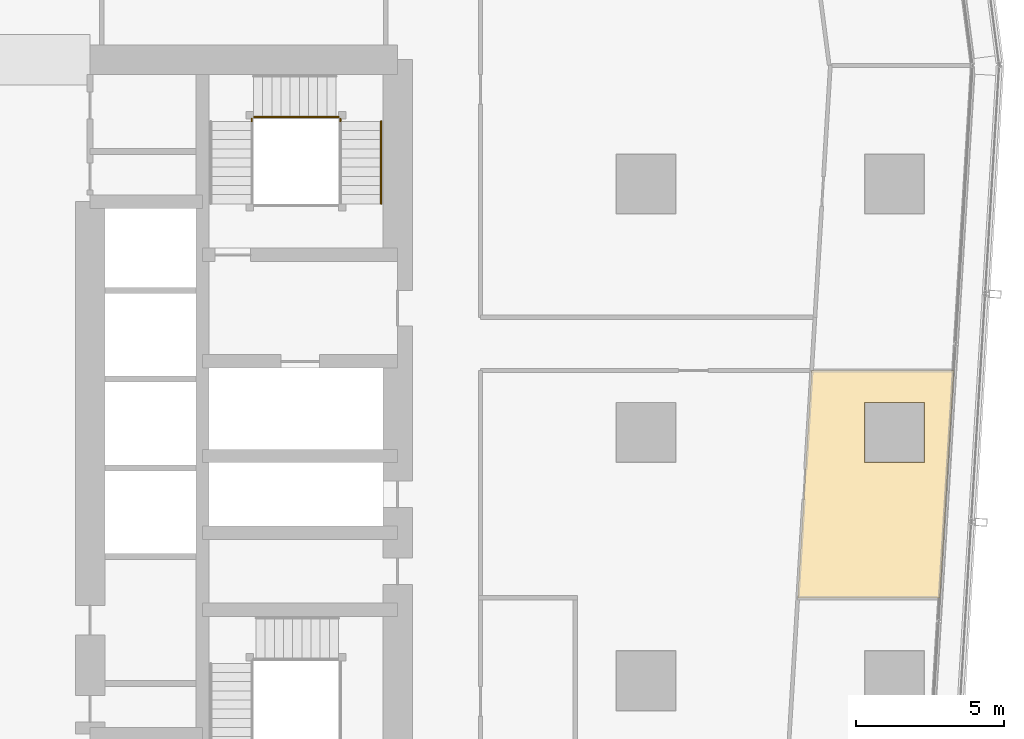
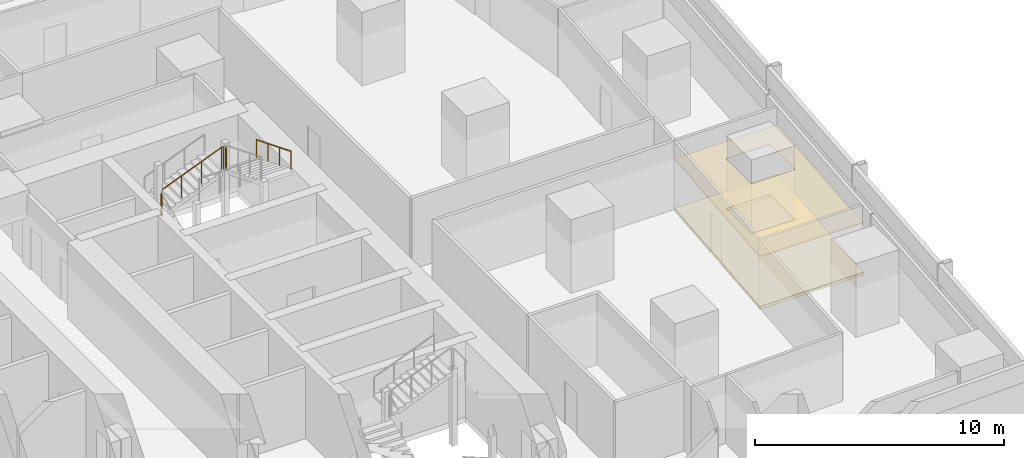
# One storey, part 38 of 39: 5 railings, 2 coverings.
"""IFC4 building model written with IfcOpenShell, lengths in metres."""

from ifc_helpers import new_model, si_unit, direction, frame, origin, origin_2d, place, context, subcontext, project, spatial, polyline, circle, outline, extrude, material, layer, layer_set, type_object, element, save


model = new_model("IFC4")

# Units and contexts
model_context = context("Model", 3, precision=1e-05, world=origin(), true_north=direction((0.0, 1.0)))
body_context = subcontext(model_context, "Body", "Model", "MODEL_VIEW")
ifc_project = project(units=[si_unit("LENGTHUNIT", "METRE"), si_unit("AREAUNIT", "SQUARE_METRE"), si_unit("VOLUMEUNIT", "CUBIC_METRE"), si_unit("PLANEANGLEUNIT", "RADIAN"), si_unit("MASSUNIT", "GRAM", prefix="KILO")], contexts=[model_context])

# Site, building, storey
site_placement = place(None, origin())
site = spatial("IfcSite", under=ifc_project, at=site_placement, CompositionType="ELEMENT")
building_placement = place(site_placement, origin())
building = spatial("IfcBuilding", under=site, at=building_placement, Name="Rekha Terrace Tower", CompositionType="ELEMENT")
storey_placement = place(building_placement, frame((0.0, 0.0, 151.550048828125)))
storey = spatial("IfcBuildingStorey", under=building, at=storey_placement, Name="L38", CompositionType="ELEMENT", Elevation=151.550048828125)

# Covering
ifc_material_1 = material(Name="Mineral fibre tile in exposed grid", Category="finish")
ifc_layer_1 = layer(ifc_material_1, 0.02001953125)
ifc_layer_set_1 = layer_set([ifc_layer_1], Name="Mineral fibre tile in exposed grid")
covering_type_1 = type_object("IfcCoveringType", Name="CL1 600x1200 office grid ceiling", PredefinedType="CEILING", material=ifc_layer_set_1)
covering_1_placement = place(storey_placement, frame((0.0, 0.0, 2.579833984375)))
element("IfcCovering", 1, at=covering_1_placement, inside=storey, type_object=covering_type_1, Name="Ceiling L38-03", PredefinedType="CEILING", context=body_context, shape_type="SweptSolid", body=[
    extrude(outline(polyline([(63.926025390625, 27.998046875), (68.735107421875, 27.998046875), (69.2060546875, 35.68603515625), (64.39697265625, 35.68603515625), (63.926025390625, 27.998046875)]), holes=[polyline([(68.215087890625, 34.614990234375), (68.215087890625, 32.5849609375), (66.18505859375, 32.5849609375), (66.18505859375, 34.614990234375), (68.215087890625, 34.614990234375)])]), origin(), (0.0, 0.0, 1.0), 0.02001953125),
])

# Railings
ifc_material_2 = material(Name="Stainless steel balustrade", Category="steel")
railing_type_1 = type_object("IfcRailingType", Name="GR1 1100 stair guard", PredefinedType="GUARDRAIL", material=ifc_material_2)
railing_1_placement = place(storey_placement, frame((45.52490234375, 44.260009765625, 1.375)))
element("IfcRailing", 2, at=railing_1_placement, inside=storey, type_object=railing_type_1, Name="Guard ST2 L38 flight 2", PredefinedType="GUARDRAIL", context=body_context, shape_type="SweptSolid", body=[
    extrude(circle(Radius=0.02392578125, at=origin_2d()), frame((0.0, 0.0, 1.076171875), z_axis=(0.927443287984, 0.0, 0.373963831907), x_axis=(0.0, 1.0, 0.0)), (0.0, 0.0, 1.0), 3.00830078125),
    extrude(circle(Radius=0.02099609375, at=origin_2d()), origin(), (0.0, 0.0, 1.0), 1.052001953125),
    extrude(circle(Radius=0.02099609375, at=origin_2d()), frame((0.929931640625, 0.0, 0.375)), (0.0, 0.0, 1.0), 1.052001953125),
    extrude(circle(Radius=0.02099609375, at=origin_2d()), frame((1.860107421875, 0.0, 0.75)), (0.0, 0.0, 1.0), 1.052001953125),
    extrude(circle(Radius=0.02099609375, at=origin_2d()), frame((2.7900390625, 0.0, 1.125)), (0.0, 0.0, 1.0), 1.052001953125),
])
railing_2_placement = place(storey_placement, frame((45.465087890625, 44.114990234375, 1.25)))
element("IfcRailing", 3, at=railing_2_placement, inside=storey, type_object=railing_type_1, Name="Guard ST2 L38 landing 1", PredefinedType="GUARDRAIL", context=body_context, shape_type="SweptSolid", body=[
    extrude(circle(Radius=0.02392578125, at=origin_2d()), frame((0.0, 0.0, 1.076171875), z_axis=(0.0, 1.0, 0.0), x_axis=(-1.0, 0.0, 0.0)), (0.0, 0.0, 1.0), 0.0849609375),
    extrude(circle(Radius=0.02099609375, at=origin_2d()), origin(), (0.0, 0.0, 1.0), 1.052001953125),
    extrude(circle(Radius=0.02099609375, at=origin_2d()), frame((0.0, 0.0849609375, 0.0)), (0.0, 0.0, 1.0), 1.052001953125),
])
railing_3_placement = place(storey_placement, frame((48.31494140625, 44.260009765625, 2.5)))
element("IfcRailing", 4, at=railing_3_placement, inside=storey, type_object=railing_type_1, Name="Guard ST2 L38 landing 2", PredefinedType="GUARDRAIL", context=body_context, shape_type="SweptSolid", body=[
    extrude(circle(Radius=0.02392578125, at=origin_2d()), frame((0.0, 0.0, 1.076171875), z_axis=(1.0, 0.0, 0.0), x_axis=(0.0, 1.0, 0.0)), (0.0, 0.0, 1.0), 0.0849609375),
    extrude(circle(Radius=0.02099609375, at=origin_2d()), origin(), (0.0, 0.0, 1.0), 1.052001953125),
    extrude(circle(Radius=0.02099609375, at=origin_2d()), frame((0.0849609375, 0.0, 0.0)), (0.0, 0.0, 1.0), 1.052001953125),
])
railing_4_placement = place(storey_placement, frame((48.4599609375, 44.114990234375, 2.5)))
element("IfcRailing", 5, at=railing_4_placement, inside=storey, type_object=railing_type_1, Name="Guard ST2 L38 landing 3", PredefinedType="GUARDRAIL", context=body_context, shape_type="SweptSolid", body=[
    extrude(circle(Radius=0.02392578125, at=origin_2d()), frame((0.0, 0.0, 1.076171875), z_axis=(0.0, 1.0, 0.0), x_axis=(-1.0, 0.0, 0.0)), (0.0, 0.0, 1.0), 0.0849609375),
    extrude(circle(Radius=0.02099609375, at=origin_2d()), origin(), (0.0, 0.0, 1.0), 1.052001953125),
    extrude(circle(Radius=0.02099609375, at=origin_2d()), frame((0.0, 0.0849609375, 0.0)), (0.0, 0.0, 1.0), 1.052001953125),
])
ifc_material_3 = material(Name="Stainless steel tube", Category="steel")
railing_type_2 = type_object("IfcRailingType", Name="HR1 900 stair handrail", PredefinedType="HANDRAIL", material=ifc_material_3)
railing_5_placement = place(storey_placement, frame((49.840087890625, 44.114990234375, 2.625)))
element("IfcRailing", 6, at=railing_5_placement, inside=storey, type_object=railing_type_2, Name="Handrail ST2 L38 flight 3", PredefinedType="HANDRAIL", context=body_context, shape_type="SweptSolid", body=[
    extrude(circle(Radius=0.02392578125, at=origin_2d()), frame((0.0, 0.0, 0.8759765625), z_axis=(0.0, -0.927443287984, 0.373963831907), x_axis=(1.0, 0.0, 0.0)), (0.0, 0.0, 1.0), 3.00830078125),
    extrude(circle(Radius=0.02099609375, at=origin_2d()), origin(), (0.0, 0.0, 1.0), 0.851806640625),
    extrude(circle(Radius=0.02099609375, at=origin_2d()), frame((0.0, -0.929931640625, 0.375)), (0.0, 0.0, 1.0), 0.851806640625),
    extrude(circle(Radius=0.02099609375, at=origin_2d()), frame((0.0, -1.860107421875, 0.75)), (0.0, 0.0, 1.0), 0.851806640625),
    extrude(circle(Radius=0.02099609375, at=origin_2d()), frame((0.0, -2.7900390625, 1.125)), (0.0, 0.0, 1.0), 0.851806640625),
])

# Covering
ifc_material_4 = material(Name="Calcium sulphate panels on steel pedestals", Category="steel")
ifc_layer_2 = layer(ifc_material_4, 0.14990234375)
ifc_layer_set_2 = layer_set([ifc_layer_2], Name="Calcium sulphate panels on steel pedestals")
covering_type_2 = type_object("IfcCoveringType", Name="RF1 150 raised access floor", PredefinedType="FLOORING", material=ifc_layer_set_2)
covering_2_placement = place(storey_placement, origin())
element("IfcCovering", 7, at=covering_2_placement, inside=storey, type_object=covering_type_2, Name="Raised floor L38-03", PredefinedType="FLOORING", context=body_context, shape_type="SweptSolid", body=[
    extrude(outline(polyline([(63.926025390625, 27.998046875), (68.735107421875, 27.998046875), (69.2060546875, 35.68603515625), (64.39697265625, 35.68603515625), (63.926025390625, 27.998046875)]), holes=[polyline([(68.215087890625, 34.614990234375), (68.215087890625, 32.5849609375), (66.18505859375, 32.5849609375), (66.18505859375, 34.614990234375), (68.215087890625, 34.614990234375)])]), origin(), (0.0, 0.0, 1.0), 0.14990234375),
])

save(model, "model.ifc")
